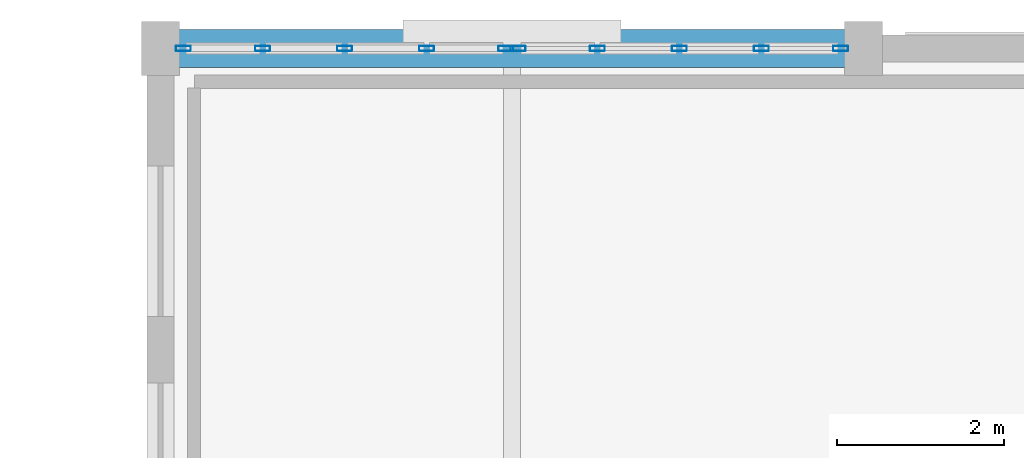
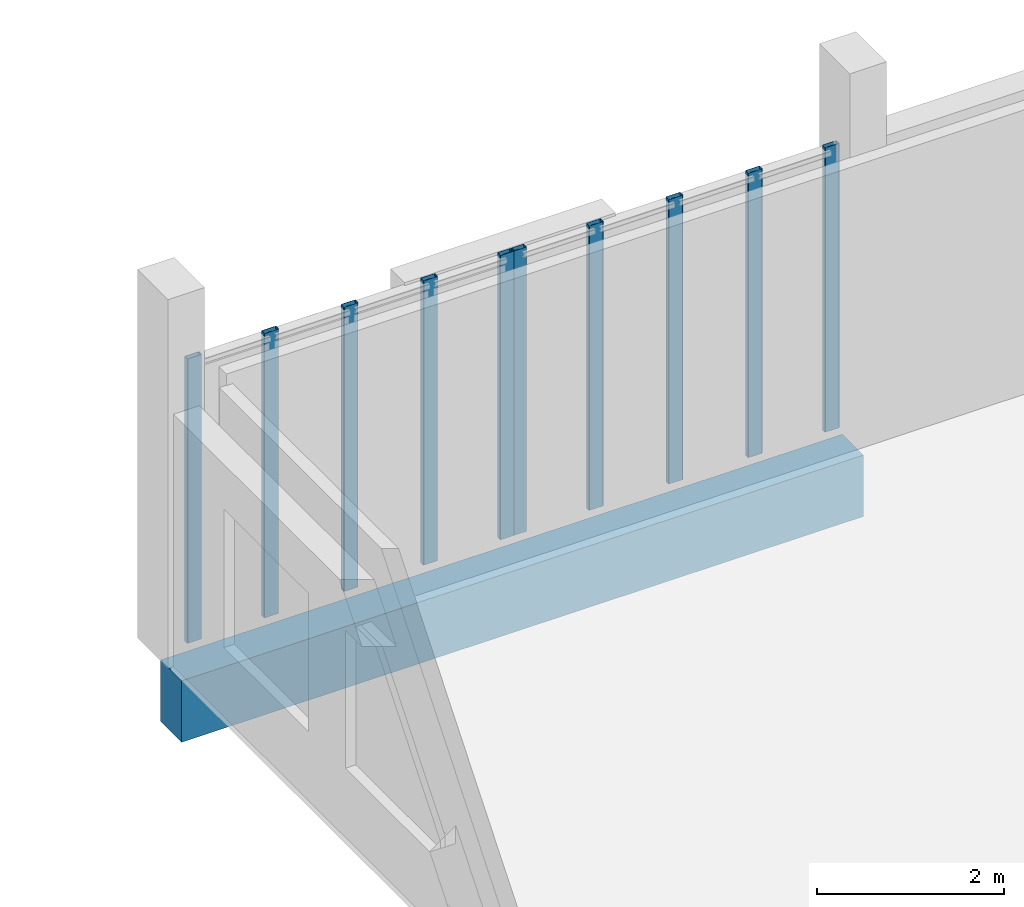
# One storey, part 36 of 106: 10 members, 1 beam, 2 elements without a shape of their own.
"""IFC4 building model written with IfcOpenShell, lengths in metres."""

from ifc_helpers import new_model, si_unit, direction, frame, origin, origin_2d, place, context, subcontext, project, spatial, rectangle, hollow_rectangle, extrude, material, layer, layer_set, material_profile, profile_set, type_object, element, aggregate, save


model = new_model("IFC4")

# Units and contexts
model_context = context("Model", 3, precision=1e-05, world=origin(), true_north=direction((0.0, 1.0)))
body_context = subcontext(model_context, "Body", "Model", "MODEL_VIEW")
ifc_project = project(units=[si_unit("LENGTHUNIT", "METRE"), si_unit("AREAUNIT", "SQUARE_METRE"), si_unit("VOLUMEUNIT", "CUBIC_METRE"), si_unit("PLANEANGLEUNIT", "RADIAN"), si_unit("MASSUNIT", "GRAM", prefix="KILO")], contexts=[model_context])

# Site, building, storey
site_placement = place(None, origin())
site = spatial("IfcSite", under=ifc_project, at=site_placement, CompositionType="ELEMENT")
building_placement = place(site_placement, origin())
building = spatial("IfcBuilding", under=site, at=building_placement, Name="Kisaragi Civic Commons", CompositionType="ELEMENT")
storey_placement = place(building_placement, frame((0.0, 0.0, 4.800048828125)))
storey = spatial("IfcBuildingStorey", under=building, at=storey_placement, Name="L01", CompositionType="ELEMENT", Elevation=4.800048828125)

# Curtain wall, members
ifc_material_1 = material(Name="Thermally broken anodized aluminium and low-E double glazing", Category="aluminium")
ifc_layer = layer(ifc_material_1, 0.179931640625, Name="Thermally broken anodized aluminium and low-E double glazing", Category="aluminium")
ifc_layer_set = layer_set([ifc_layer], Name="Thermally broken anodized aluminium and low-E double glazing")
curtain_wall_type = type_object("IfcCurtainWallType", Name="CW-01", PredefinedType="NOTDEFINED", material=ifc_layer_set)
curtain_wall_1_placement = place(storey_placement, origin())
curtain_wall_1 = element("IfcCurtainWall", 1, at=curtain_wall_1_placement, inside=storey, type_object=curtain_wall_type, Name="L01 curtain wall CW-01 CW-V4-L01-059", PredefinedType="NOTDEFINED")
ifc_material_profile_1 = material_profile(ifc_material_1, hollow_rectangle(XDim=0.06494140625, YDim=0.179931640625, WallThickness=0.00439453125, InnerFilletRadius=0.00439453125, OuterFilletRadius=0.009033203125, at=origin_2d()), Name="CWM-65x180x4.5", Category="aluminium")
ifc_profile_set_1 = profile_set([ifc_material_profile_1], Name="Thermally broken anodized aluminium and low-E double glazing")
member_type = type_object("IfcMemberType", Name="CWM-02", PredefinedType="MULLION", material=ifc_profile_set_1)
member_1_placement = place(storey_placement, frame((72.2724609375, 118.800048828125, 0.0), z_axis=(0.0, 0.0, 1.0), x_axis=(0.0, 1.0, 0.0)))
member_1 = element("IfcMember", 2, at=member_1_placement, type_object=member_type, Name="CW-01 mullion 1", PredefinedType="MULLION", context=body_context, shape_type="SweptSolid", body=[
    extrude(hollow_rectangle(XDim=0.06494140625, YDim=0.179931640625, WallThickness=0.00439453125, InnerFilletRadius=0.00439453125, OuterFilletRadius=0.009033203125, at=origin_2d()), origin(), (0.0, 0.0, 1.0), 3.704833984375),
])
member_2_placement = place(storey_placement, frame((73.219970703125, 118.800048828125, 0.0), z_axis=(0.0, 0.0, 1.0), x_axis=(0.0, 1.0, 0.0)))
member_2 = element("IfcMember", 3, at=member_2_placement, type_object=member_type, Name="CW-01 mullion 2", PredefinedType="MULLION", context=body_context, shape_type="SweptSolid", body=[
    extrude(hollow_rectangle(XDim=0.06494140625, YDim=0.179931640625, WallThickness=0.00439453125, InnerFilletRadius=0.00439453125, OuterFilletRadius=0.009033203125, at=origin_2d()), origin(), (0.0, 0.0, 1.0), 3.704833984375),
])
member_3_placement = place(storey_placement, frame((74.199951171875, 118.800048828125, 0.0), z_axis=(0.0, 0.0, 1.0), x_axis=(0.0, 1.0, 0.0)))
member_3 = element("IfcMember", 4, at=member_3_placement, type_object=member_type, Name="CW-01 mullion 3", PredefinedType="MULLION", context=body_context, shape_type="SweptSolid", body=[
    extrude(hollow_rectangle(XDim=0.06494140625, YDim=0.179931640625, WallThickness=0.00439453125, InnerFilletRadius=0.00439453125, OuterFilletRadius=0.009033203125, at=origin_2d()), origin(), (0.0, 0.0, 1.0), 3.704833984375),
])
member_4_placement = place(storey_placement, frame((75.179931640625, 118.800048828125, 0.0), z_axis=(0.0, 0.0, 1.0), x_axis=(0.0, 1.0, 0.0)))
member_4 = element("IfcMember", 5, at=member_4_placement, type_object=member_type, Name="CW-01 mullion 4", PredefinedType="MULLION", context=body_context, shape_type="SweptSolid", body=[
    extrude(hollow_rectangle(XDim=0.06494140625, YDim=0.179931640625, WallThickness=0.00439453125, InnerFilletRadius=0.00439453125, OuterFilletRadius=0.009033203125, at=origin_2d()), origin(), (0.0, 0.0, 1.0), 3.704833984375),
])
member_5_placement = place(storey_placement, frame((76.12744140625, 118.800048828125, 0.0), z_axis=(0.0, 0.0, 1.0), x_axis=(0.0, 1.0, 0.0)))
member_5 = element("IfcMember", 6, at=member_5_placement, type_object=member_type, Name="CW-01 mullion 5", PredefinedType="MULLION", context=body_context, shape_type="SweptSolid", body=[
    extrude(hollow_rectangle(XDim=0.06494140625, YDim=0.179931640625, WallThickness=0.00439453125, InnerFilletRadius=0.00439453125, OuterFilletRadius=0.009033203125, at=origin_2d()), origin(), (0.0, 0.0, 1.0), 3.704833984375),
])
aggregate(curtain_wall_1, [member_1, member_2, member_3, member_4, member_5])

curtain_wall_2_placement = place(storey_placement, origin())
curtain_wall_2 = element("IfcCurtainWall", 7, at=curtain_wall_2_placement, inside=storey, type_object=curtain_wall_type, Name="L01 curtain wall CW-01 CW-V4-L01-060", PredefinedType="NOTDEFINED")
member_6_placement = place(storey_placement, frame((76.2724609375, 118.800048828125, 0.0), z_axis=(0.0, 0.0, 1.0), x_axis=(0.0, 1.0, 0.0)))
member_6 = element("IfcMember", 8, at=member_6_placement, type_object=member_type, Name="CW-01 mullion 1", PredefinedType="MULLION", context=body_context, shape_type="SweptSolid", body=[
    extrude(hollow_rectangle(XDim=0.06494140625, YDim=0.179931640625, WallThickness=0.00439453125, InnerFilletRadius=0.00439453125, OuterFilletRadius=0.009033203125, at=origin_2d()), origin(), (0.0, 0.0, 1.0), 3.704833984375),
])
member_7_placement = place(storey_placement, frame((77.219970703125, 118.800048828125, 0.0), z_axis=(0.0, 0.0, 1.0), x_axis=(0.0, 1.0, 0.0)))
member_7 = element("IfcMember", 9, at=member_7_placement, type_object=member_type, Name="CW-01 mullion 2", PredefinedType="MULLION", context=body_context, shape_type="SweptSolid", body=[
    extrude(hollow_rectangle(XDim=0.06494140625, YDim=0.179931640625, WallThickness=0.00439453125, InnerFilletRadius=0.00439453125, OuterFilletRadius=0.009033203125, at=origin_2d()), origin(), (0.0, 0.0, 1.0), 3.704833984375),
])
member_8_placement = place(storey_placement, frame((78.199951171875, 118.800048828125, 0.0), z_axis=(0.0, 0.0, 1.0), x_axis=(0.0, 1.0, 0.0)))
member_8 = element("IfcMember", 10, at=member_8_placement, type_object=member_type, Name="CW-01 mullion 3", PredefinedType="MULLION", context=body_context, shape_type="SweptSolid", body=[
    extrude(hollow_rectangle(XDim=0.06494140625, YDim=0.179931640625, WallThickness=0.00439453125, InnerFilletRadius=0.00439453125, OuterFilletRadius=0.009033203125, at=origin_2d()), origin(), (0.0, 0.0, 1.0), 3.704833984375),
])
member_9_placement = place(storey_placement, frame((79.179931640625, 118.800048828125, 0.0), z_axis=(0.0, 0.0, 1.0), x_axis=(0.0, 1.0, 0.0)))
member_9 = element("IfcMember", 11, at=member_9_placement, type_object=member_type, Name="CW-01 mullion 4", PredefinedType="MULLION", context=body_context, shape_type="SweptSolid", body=[
    extrude(hollow_rectangle(XDim=0.06494140625, YDim=0.179931640625, WallThickness=0.00439453125, InnerFilletRadius=0.00439453125, OuterFilletRadius=0.009033203125, at=origin_2d()), origin(), (0.0, 0.0, 1.0), 3.704833984375),
])
member_10_placement = place(storey_placement, frame((80.12744140625, 118.800048828125, 0.0), z_axis=(0.0, 0.0, 1.0), x_axis=(0.0, 1.0, 0.0)))
member_10 = element("IfcMember", 12, at=member_10_placement, type_object=member_type, Name="CW-01 mullion 5", PredefinedType="MULLION", context=body_context, shape_type="SweptSolid", body=[
    extrude(hollow_rectangle(XDim=0.06494140625, YDim=0.179931640625, WallThickness=0.00439453125, InnerFilletRadius=0.00439453125, OuterFilletRadius=0.009033203125, at=origin_2d()), origin(), (0.0, 0.0, 1.0), 3.704833984375),
])
aggregate(curtain_wall_2, [member_6, member_7, member_8, member_9, member_10])

# Beam
ifc_material_2 = material(Name="Concrete Fc30", Category="concrete")
ifc_material_profile_2 = material_profile(ifc_material_2, rectangle(XDim=0.449951171875, YDim=0.800048828125, at=origin_2d()), Name="RC-450x800", Category="concrete")
ifc_profile_set_2 = profile_set([ifc_material_profile_2], Name="Concrete Fc30")
beam_type = type_object("IfcBeamType", Name="SPB-01", PredefinedType="SPANDREL", material=ifc_profile_set_2)
beam_placement = place(storey_placement, frame((72.0, 118.800048828125, -0.705078125), z_axis=(1.0, 0.0, 0.0), x_axis=(0.0, 1.0, 0.0)))
element("IfcBeam", 13, at=beam_placement, inside=storey, type_object=beam_type, Name="L01 girder SPB-01 236", PredefinedType="SPANDREL", context=body_context, shape_type="SweptSolid", body=[
    extrude(rectangle(XDim=0.449951171875, YDim=0.800048828125, at=origin_2d()), origin(), (0.0, 0.0, 1.0), 8.39990234375),
])

save(model, "model.ifc")
